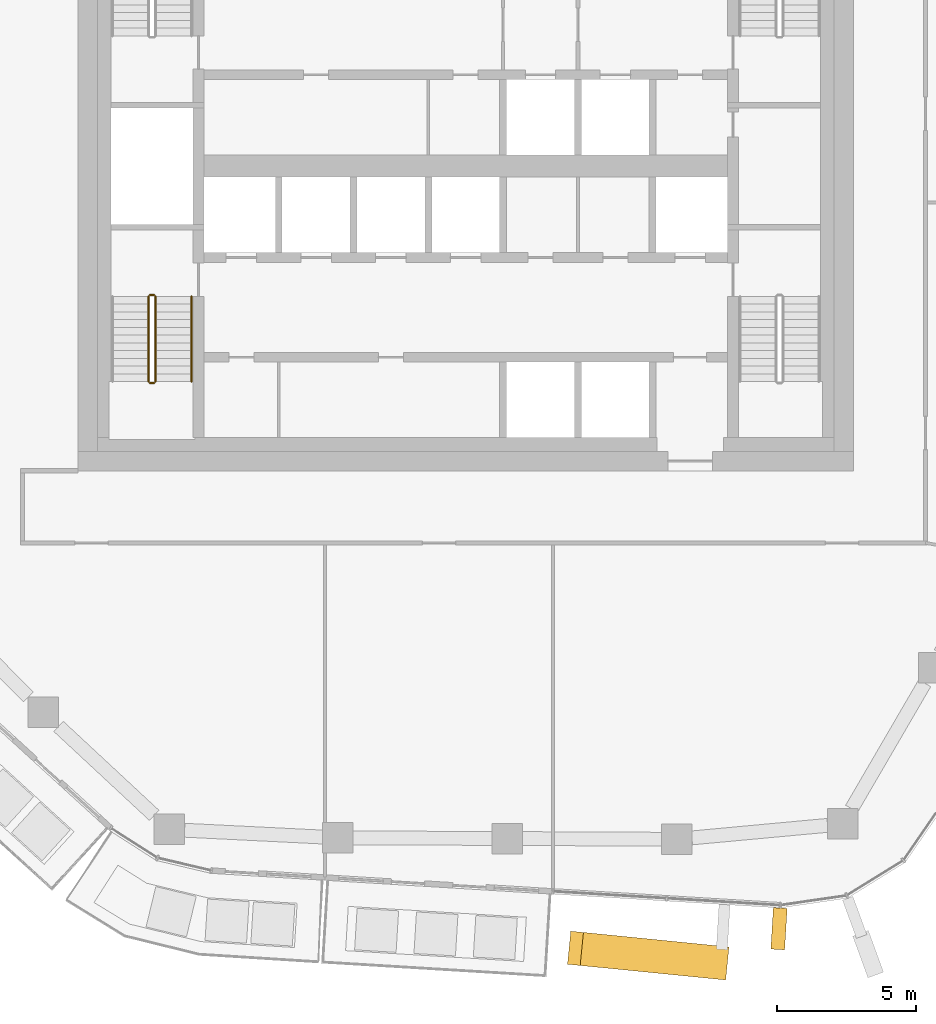
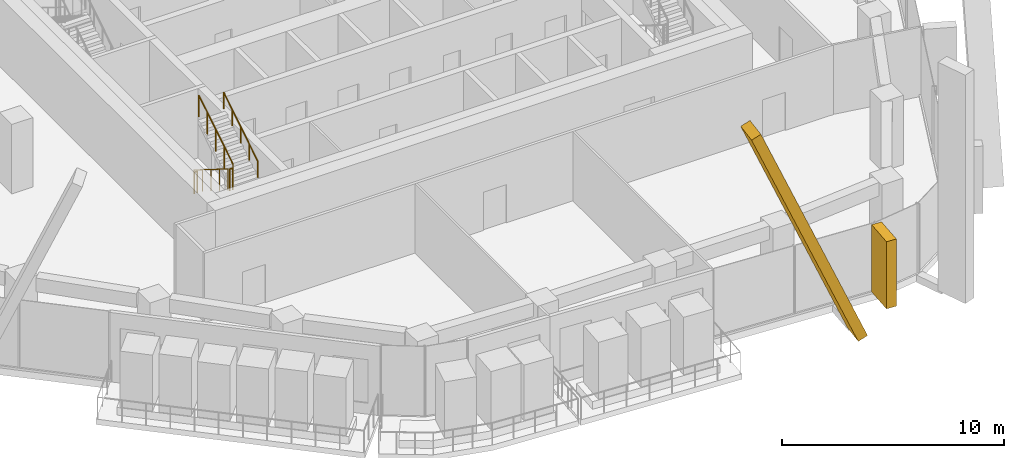
# One storey, part 16 of 20: 5 railings, 2 coverings, 1 element without a shape of its own.
"""IFC4 building model written with IfcOpenShell, lengths in metres."""

from ifc_helpers import new_model, si_unit, direction, frame, origin, origin_2d, place, context, subcontext, project, spatial, rectangle, circle, extrude, material, layer, layer_set, material_profile, profile_set, type_object, element, aggregate, save


model = new_model("IFC4")

# Units and contexts
model_context = context("Model", 3, precision=1e-05, world=origin(), true_north=direction((0.0, 1.0)))
body_context = subcontext(model_context, "Body", "Model", "MODEL_VIEW")
ifc_project = project(units=[si_unit("LENGTHUNIT", "METRE"), si_unit("AREAUNIT", "SQUARE_METRE"), si_unit("VOLUMEUNIT", "CUBIC_METRE"), si_unit("PLANEANGLEUNIT", "RADIAN"), si_unit("MASSUNIT", "GRAM", prefix="KILO")], contexts=[model_context])

# Site, building, storey
site_placement = place(None, origin())
site = spatial("IfcSite", under=ifc_project, at=site_placement, CompositionType="ELEMENT")
building_placement = place(site_placement, origin())
building = spatial("IfcBuilding", under=site, at=building_placement, Name="Dongbaek Canopy Tower", CompositionType="ELEMENT")
storey_placement = place(building_placement, frame((0.0, 0.0, 253.800048828125)))
storey = spatial("IfcBuildingStorey", under=building, at=storey_placement, Name="L53", CompositionType="ELEMENT", Elevation=253.800048828125)

# Curtain wall, coverings
ifc_material_1 = material(Name="Aluminium 6063-T6 pale anodised", Category="aluminium")
ifc_layer = layer(ifc_material_1, 0.199951171875)
ifc_layer_set = layer_set([ifc_layer], Name="CW-1 unitised tower curtain wall")
curtain_wall_type = type_object("IfcCurtainWallType", Name="CW-1 unitised tower curtain wall", PredefinedType="NOTDEFINED", material=ifc_layer_set)
curtain_wall_placement = place(storey_placement, origin())
curtain_wall = element("IfcCurtainWall", 1, at=curtain_wall_placement, inside=storey, type_object=curtain_wall_type, Name="CW-1 curtain wall F4.1", PredefinedType="NOTDEFINED")
ifc_material_2 = material(Name="Aluminium 6063-T6 pale metal fin", Category="aluminium")
ifc_material_profile_1 = material_profile(ifc_material_2, rectangle(XDim=1.199951171875, YDim=0.5, at=origin_2d()), Name="Crease fin CF1 500 x 1200 pale metal")
ifc_profile_set_1 = profile_set([ifc_material_profile_1], Name="Aluminium 6063-T6 pale metal fin")
covering_type_1 = type_object("IfcCoveringType", Name="Crease fin CF1 500 x 1200 pale metal", PredefinedType="CLADDING", material=ifc_profile_set_1)
covering_1_placement = place(storey_placement, frame((9.2158203125, -28.759521484375, -0.18994140625), z_axis=(-0.384565165278, 0.038315335952, 0.922302319571), x_axis=(-0.099142020614, -0.995073293657, 0.0)))
covering_1 = element("IfcCovering", 2, at=covering_1_placement, type_object=covering_type_1, Name="Crease fin L53 L56 F4", PredefinedType="CLADDING", context=body_context, shape_type="SweptSolid", body=[
    extrude(rectangle(XDim=1.199951171875, YDim=0.5, at=origin_2d()), origin(), (0.0, 0.0, 1.0), 13.661376953125),
])
ifc_material_3 = material(Name="Aluminium 6063-T6 pale metal fin", Category="aluminium")
ifc_material_profile_2 = material_profile(ifc_material_3, rectangle(XDim=1.5, YDim=0.5, at=origin_2d()), Name="Fin FN1 500 x 1500 pale metal")
ifc_profile_set_2 = profile_set([ifc_material_profile_2], Name="Aluminium 6063-T6 pale metal fin")
covering_type_2 = type_object("IfcCoveringType", Name="Fin FN1 500 x 1500 pale metal", PredefinedType="CLADDING", material=ifc_profile_set_2)
covering_2_placement = place(storey_placement, frame((11.309326171875, -27.529052734375, 0.119873046875), z_axis=(0.0, 0.0, 1.0), x_axis=(-0.060746171441, -0.998153246078, 0.0)))
covering_2 = element("IfcCovering", 3, at=covering_2_placement, type_object=covering_type_2, Name="Fin F4.1.3", PredefinedType="CLADDING", context=body_context, shape_type="SweptSolid", body=[
    extrude(rectangle(XDim=1.5, YDim=0.5, at=origin_2d()), origin(), (0.0, 0.0, 1.0), 3.7001953125),
])
aggregate(curtain_wall, [covering_2, covering_1])

# Railings
ifc_material_4 = material(Name="Stainless steel tube and balusters", Category="steel")
railing_type_1 = type_object("IfcRailingType", Name="Stair guard 1200", PredefinedType="GUARDRAIL", material=ifc_material_4)
railing_1_placement = place(storey_placement, frame((-11.449951171875, -4.699951171875, 0.175048828125)))
element("IfcRailing", 4, at=railing_1_placement, inside=storey, type_object=railing_type_1, Name="L53 ST-D stair guard 1", PredefinedType="GUARDRAIL", context=body_context, shape_type="SweptSolid", body=[
    extrude(circle(Radius=0.02392578125, at=origin_2d()), frame((0.0, 0.0, 1.17578125), z_axis=(0.0, -0.848028513186, 0.529950602248), x_axis=(1.0, 0.0, 0.0)), (0.0, 0.0, 1.0), 3.632080078125),
    extrude(circle(Radius=0.02099609375, at=origin_2d()), origin(), (0.0, 0.0, 1.0), 1.15185546875),
    extrude(circle(Radius=0.02099609375, at=origin_2d()), frame((0.0, -0.77001953125, 0.481201171875)), (0.0, 0.0, 1.0), 1.15185546875),
    extrude(circle(Radius=0.02099609375, at=origin_2d()), frame((0.0, -1.5400390625, 0.96240234375)), (0.0, 0.0, 1.0), 1.15185546875),
    extrude(circle(Radius=0.02099609375, at=origin_2d()), frame((0.0, -2.31005859375, 1.443603515625)), (0.0, 0.0, 1.0), 1.15185546875),
    extrude(circle(Radius=0.02099609375, at=origin_2d()), frame((0.0, -3.080078125, 1.9248046875)), (0.0, 0.0, 1.0), 1.15185546875),
])
railing_2_placement = place(storey_placement, frame((-11.39990234375, -7.830078125, 2.099853515625)))
element("IfcRailing", 5, at=railing_2_placement, inside=storey, type_object=railing_type_1, Name="L53 ST-D stair guard 2", PredefinedType="GUARDRAIL", context=body_context, shape_type="SweptSolid", body=[
    extrude(circle(Radius=0.02392578125, at=origin_2d()), frame((0.0, 0.0, 1.17578125), z_axis=(1.0, 0.0, 0.0), x_axis=(0.0, 1.0, 0.0)), (0.0, 0.0, 1.0), 0.14990234375),
    extrude(circle(Radius=0.02099609375, at=origin_2d()), origin(), (0.0, 0.0, 1.0), 1.15185546875),
    extrude(circle(Radius=0.02099609375, at=origin_2d()), frame((0.14990234375, 0.0, 0.0)), (0.0, 0.0, 1.0), 1.15185546875),
])
railing_3_placement = place(storey_placement, frame((-11.199951171875, -7.780029296875, 2.27490234375)))
element("IfcRailing", 6, at=railing_3_placement, inside=storey, type_object=railing_type_1, Name="L53 ST-D stair guard 3", PredefinedType="GUARDRAIL", context=body_context, shape_type="SweptSolid", body=[
    extrude(circle(Radius=0.02392578125, at=origin_2d()), frame((0.0, 0.0, 1.17578125), z_axis=(0.0, 0.847998304005, 0.529998940003), x_axis=(-1.0, 0.0, 0.0)), (0.0, 0.0, 1.0), 3.632080078125),
    extrude(circle(Radius=0.02099609375, at=origin_2d()), origin(), (0.0, 0.0, 1.0), 1.15185546875),
    extrude(circle(Radius=0.02099609375, at=origin_2d()), frame((0.0, 0.77001953125, 0.481201171875)), (0.0, 0.0, 1.0), 1.15185546875),
    extrude(circle(Radius=0.02099609375, at=origin_2d()), frame((0.0, 1.5400390625, 0.96240234375)), (0.0, 0.0, 1.0), 1.15185546875),
    extrude(circle(Radius=0.02099609375, at=origin_2d()), frame((0.0, 2.31005859375, 1.44384765625)), (0.0, 0.0, 1.0), 1.15185546875),
    extrude(circle(Radius=0.02099609375, at=origin_2d()), frame((0.0, 3.080078125, 1.925048828125)), (0.0, 0.0, 1.0), 1.15185546875),
])
railing_4_placement = place(storey_placement, frame((-11.39990234375, -4.64990234375, 0.0)))
element("IfcRailing", 7, at=railing_4_placement, inside=storey, type_object=railing_type_1, Name="L53 ST-D stair guard 4", PredefinedType="GUARDRAIL", context=body_context, shape_type="SweptSolid", body=[
    extrude(circle(Radius=0.02392578125, at=origin_2d()), frame((0.0, 0.0, 1.17578125), z_axis=(1.0, 0.0, 0.0), x_axis=(0.0, 1.0, 0.0)), (0.0, 0.0, 1.0), 0.14990234375),
    extrude(circle(Radius=0.02099609375, at=origin_2d()), origin(), (0.0, 0.0, 1.0), 1.15185546875),
    extrude(circle(Radius=0.02099609375, at=origin_2d()), frame((0.14990234375, 0.0, 0.0)), (0.0, 0.0, 1.0), 1.15185546875),
])
ifc_material_5 = material(Name="Stainless steel tube", Category="steel")
railing_type_2 = type_object("IfcRailingType", Name="Stair handrail 900", PredefinedType="HANDRAIL", material=ifc_material_5)
railing_5_placement = place(storey_placement, frame((-9.89990234375, -7.780029296875, 2.27490234375)))
element("IfcRailing", 8, at=railing_5_placement, inside=storey, type_object=railing_type_2, Name="L53 ST-D stair handrail 2", PredefinedType="HANDRAIL", context=body_context, shape_type="SweptSolid", body=[
    extrude(circle(Radius=0.02392578125, at=origin_2d()), frame((0.0, 0.0, 0.8759765625), z_axis=(0.0, 0.847998304005, 0.529998940003), x_axis=(-1.0, 0.0, 0.0)), (0.0, 0.0, 1.0), 3.632080078125),
    extrude(circle(Radius=0.02099609375, at=origin_2d()), origin(), (0.0, 0.0, 1.0), 0.851806640625),
    extrude(circle(Radius=0.02099609375, at=origin_2d()), frame((0.0, 0.77001953125, 0.481201171875)), (0.0, 0.0, 1.0), 0.851806640625),
    extrude(circle(Radius=0.02099609375, at=origin_2d()), frame((0.0, 1.5400390625, 0.96240234375)), (0.0, 0.0, 1.0), 0.851806640625),
    extrude(circle(Radius=0.02099609375, at=origin_2d()), frame((0.0, 2.31005859375, 1.44384765625)), (0.0, 0.0, 1.0), 0.851806640625),
    extrude(circle(Radius=0.02099609375, at=origin_2d()), frame((0.0, 3.080078125, 1.925048828125)), (0.0, 0.0, 1.0), 0.851806640625),
])

save(model, "model.ifc")
